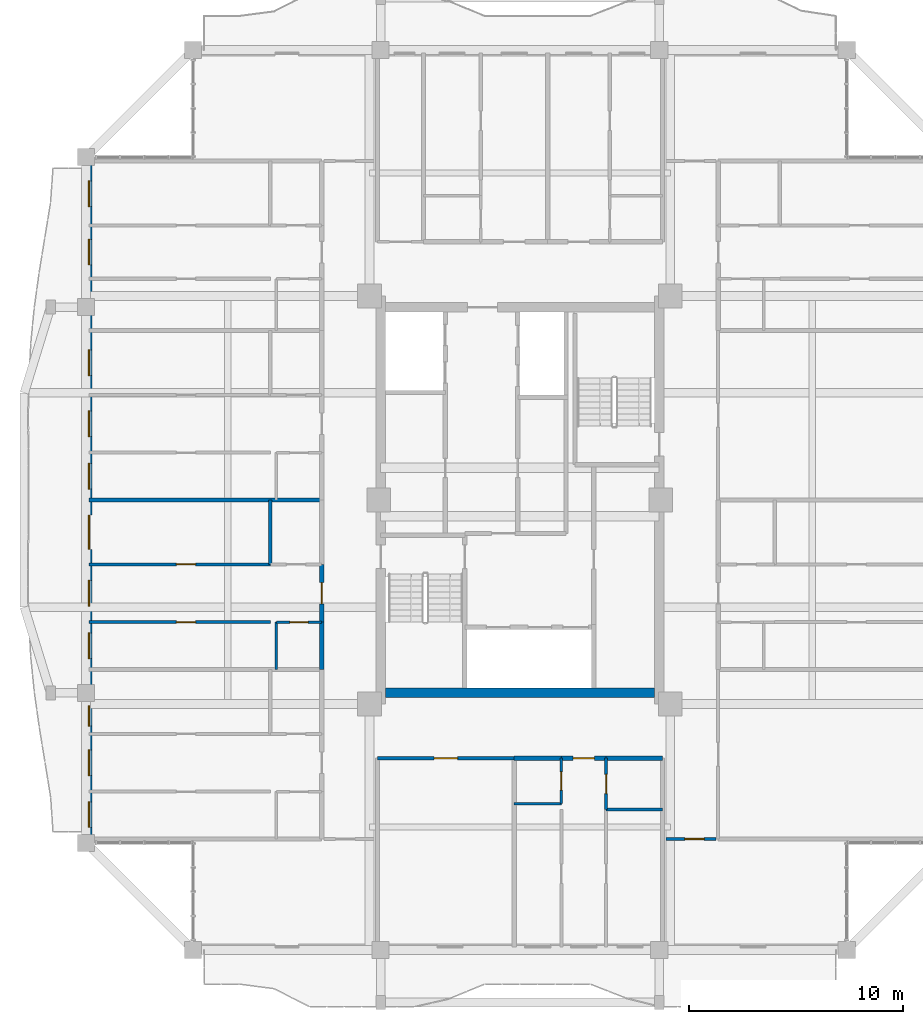
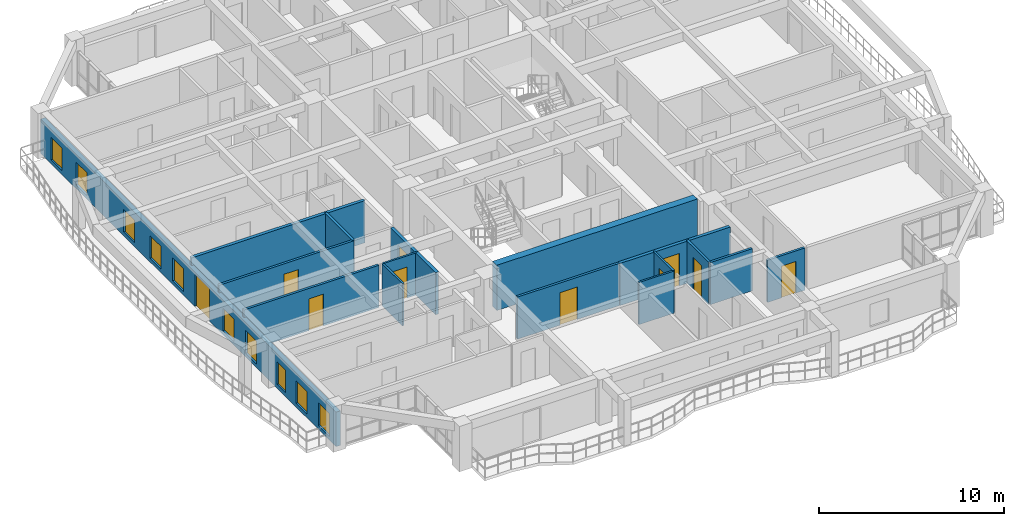
# One storey, part 11 of 21: 19 walls, 10 doors, 10 windows, 20 openings.
"""IFC4 building model written with IfcOpenShell, lengths in metres."""

import ifcopenshell
import ifcopenshell.guid

model = None  # the IFC model being written
_history = None  # IfcOwnerHistory: only IFC2X3 demands one
_inside = {}  # id of a spatial element -> (the spatial element, [elements in it])
_under = {}  # id of a project, library or spatial element -> (it, [spatial elements below it])
_declared = {}  # id of a project -> (the project, [libraries it declares])
_typed = {}  # id of a type object -> (the type object, [elements of that type])
_made_of = {}  # id of a material, layer set ... -> (it, [elements and type objects made of it])


def new_model(schema):
    """Start an empty IFC model of exactly this schema.

    Asked for "IFC4X3", IfcOpenShell would pick the latest addendum, in which some entities
    have other attributes; the version numbers below select the first issue.
    IFC2X3 requires an IfcOwnerHistory on every rooted entity: one is made here for all.
    """
    global model, _history
    if schema == "IFC4X3":
        model = ifcopenshell.file(schema_version=(4, 3, 0, 0))
    else:
        model = ifcopenshell.file(schema=schema)
    _inside.clear()
    _under.clear()
    _declared.clear()
    _typed.clear()
    _made_of.clear()
    _history = None
    if model.schema == "IFC2X3":
        org = make("IfcOrganization", Name="unknown")
        user = make(
            "IfcPersonAndOrganization",
            ThePerson=make("IfcPerson", FamilyName="unknown"),
            TheOrganization=org,
        )
        app = make(
            "IfcApplication",
            ApplicationDeveloper=org,
            Version="unknown",
            ApplicationFullName="unknown",
            ApplicationIdentifier="unknown",
        )
        _history = make(
            "IfcOwnerHistory",
            OwningUser=user,
            OwningApplication=app,
            ChangeAction="ADDED",
            CreationDate=0,
        )
    return model


def make(cls, **values):
    """One entity of the class cls with the attributes given. An attribute that is None is left unset."""
    return model.create_entity(
        cls, **{name: value for name, value in values.items() if value is not None}
    )


def rooted(cls, **values):
    """An entity with a GlobalId (a new one), such as an element, a storey or a relation."""
    return make(cls, GlobalId=ifcopenshell.guid.new(), OwnerHistory=_history, **values)


def si_unit(unit_type, name, prefix=None):
    """IfcSIUnit, for example si_unit("LENGTHUNIT", "METRE", prefix="MILLI")."""
    return make("IfcSIUnit", UnitType=unit_type, Prefix=prefix, Name=name)


def assignment(units):
    """IfcUnitAssignment: the units of a project."""
    return None if units is None else make("IfcUnitAssignment", Units=units)


def point(xyz):
    """IfcCartesianPoint."""
    return None if xyz is None else make("IfcCartesianPoint", Coordinates=xyz)


def direction(xyz):
    """IfcDirection."""
    return None if xyz is None else make("IfcDirection", DirectionRatios=xyz)


def frame(location, z_axis=None, x_axis=None):
    """IfcAxis2Placement3D, a coordinate frame: its origin and axes. An axis left out is left unset."""
    return make(
        "IfcAxis2Placement3D",
        Location=point(location),
        Axis=direction(z_axis),
        RefDirection=direction(x_axis),
    )


def frame_2d(location, x_axis=None):
    """IfcAxis2Placement2D, a coordinate frame in the plane: its origin and x axis."""
    return make(
        "IfcAxis2Placement2D", Location=point(location), RefDirection=direction(x_axis)
    )


def origin():
    """The frame at (0, 0, 0) with its axes left unset."""
    return frame((0.0, 0.0, 0.0))


def place(relative_to, where):
    """IfcLocalPlacement: puts the frame where relative to a parent placement (None: the world)."""
    return make(
        "IfcLocalPlacement", PlacementRelTo=relative_to, RelativePlacement=where
    )


def context(
    kind, dimensions, precision=None, world=None, true_north=None, identifier=None
):
    """IfcGeometricRepresentationContext, for example the 3D "Model" context."""
    return make(
        "IfcGeometricRepresentationContext",
        ContextIdentifier=identifier,
        ContextType=kind,
        CoordinateSpaceDimension=dimensions,
        Precision=precision,
        WorldCoordinateSystem=world,
        TrueNorth=true_north,
    )


def subcontext(parent, identifier, kind, view, scale=None):
    """IfcGeometricRepresentationSubContext, for example "Body" below "Model"."""
    return make(
        "IfcGeometricRepresentationSubContext",
        ContextIdentifier=identifier,
        ContextType=kind,
        ParentContext=parent,
        TargetScale=scale,
        TargetView=view,
    )


def project(units=None, contexts=None):
    """IfcProject with its units and contexts."""
    return rooted(
        "IfcProject",
        Name="project",
        RepresentationContexts=contexts,
        UnitsInContext=assignment(units),
    )


def spatial(cls, under=None, at=None, **own):
    """A site, building, storey or space (cls), placed at a placement, below another one or the project."""
    s = rooted(cls, ObjectPlacement=at, **own)
    if under is not None:
        _under.setdefault(under.id(), (under, []))[1].append(s)
    return s


def profile(cls, at=None, kind="AREA", **sizes):
    """A parametric profile (cls). Its sizes go by their IFC names, for example OverallWidth=200.0."""
    return make(cls, ProfileType=kind, Position=at, **sizes)


def rectangle(**sizes):
    """IfcRectangleProfileDef."""
    return profile("IfcRectangleProfileDef", **sizes)


def extrude(swept, where, along, depth):
    """IfcExtrudedAreaSolid: the profile swept, set in the frame where, extruded along a direction by depth."""
    return make(
        "IfcExtrudedAreaSolid",
        SweptArea=swept,
        Position=where,
        ExtrudedDirection=direction(along),
        Depth=depth,
    )


def shape(context_of_items, identifier, shape_type, items):
    """IfcShapeRepresentation: the items that make up one representation, for example the "Body"."""
    return make(
        "IfcShapeRepresentation",
        ContextOfItems=context_of_items,
        RepresentationIdentifier=identifier,
        RepresentationType=shape_type,
        Items=items,
    )


def source(mapping_origin, context_of_items, identifier, shape_type, items):
    """IfcRepresentationMap: a shape defined once, which mapped items show again and again."""
    return make(
        "IfcRepresentationMap",
        MappingOrigin=mapping_origin,
        MappedRepresentation=shape(context_of_items, identifier, shape_type, items),
    )


def transform(
    local_origin,
    x_axis=None,
    y_axis=None,
    z_axis=None,
    scale=None,
    scale2=None,
    scale3=None,
    uniform=True,
):
    """IfcCartesianTransformationOperator3D, or its non-uniform kind. x_axis, y_axis, z_axis: its Axis1, 2, 3."""
    if uniform:
        return make(
            "IfcCartesianTransformationOperator3D",
            Axis1=direction(x_axis),
            Axis2=direction(y_axis),
            LocalOrigin=point(local_origin),
            Scale=scale,
            Axis3=direction(z_axis),
        )
    return make(
        "IfcCartesianTransformationOperator3DnonUniform",
        Axis1=direction(x_axis),
        Axis2=direction(y_axis),
        LocalOrigin=point(local_origin),
        Scale=scale,
        Axis3=direction(z_axis),
        Scale2=scale2,
        Scale3=scale3,
    )


def mapped(mapping_source, mapping_target):
    """IfcMappedItem: shows the shape of a source again, moved by a transform."""
    return make(
        "IfcMappedItem", MappingSource=mapping_source, MappingTarget=mapping_target
    )


def material(Name=None, Category=None):
    """IfcMaterial."""
    return make("IfcMaterial", Name=Name, Category=Category)


def layer(
    of_material, thickness, ventilated=None, Name=None, Category=None, Priority=None
):
    """IfcMaterialLayer: one layer of a wall or slab, of a material (None: an air gap)."""
    return make(
        "IfcMaterialLayer",
        Material=of_material,
        LayerThickness=thickness,
        IsVentilated=ventilated,
        Name=Name,
        Category=Category,
        Priority=Priority,
    )


def layer_set(layers, Name=None):
    """IfcMaterialLayerSet."""
    return make("IfcMaterialLayerSet", MaterialLayers=layers, LayerSetName=Name)


def made_of(thing, what):
    """Note that an element or type object is made of a material, layer set ...; save() writes the relation."""
    if what is not None:
        _made_of.setdefault(what.id(), (what, []))[1].append(thing)
    return thing


def type_object(cls, material=None, **own):
    """A type object (cls), such as IfcWallType, which elements share."""
    return made_of(rooted(cls, **own), material)


def element(
    cls,
    number,
    at=None,
    inside=None,
    cuts=None,
    type_object=None,
    material=None,
    context=None,
    identifier="Body",
    shape_type=None,
    held_by="IfcProductDefinitionShape",
    body=None,
    shapes=None,
    **own,
):
    """One element of the class cls, such as IfcWall. Its Tag is "e" and its number.

    at: its placement. inside: the storey or other place that contains it. cuts: it is an
    opening in that element (IfcRelVoidsElement). A single representation is given by context,
    identifier, shape_type and body (its items); several are given by shapes. held_by: the class
    of the entity that holds the representations. save() writes the other relations.
    """
    e = rooted(cls, Tag="e%d" % number, ObjectPlacement=at, **own)
    if body is not None:
        shapes = [shape(context, identifier, shape_type, body)]
    if shapes is not None:
        e.Representation = make(held_by, Representations=shapes)
    if inside is not None:
        _inside.setdefault(inside.id(), (inside, []))[1].append(e)
    if cuts is not None:
        rooted(
            "IfcRelVoidsElement", RelatingBuildingElement=cuts, RelatedOpeningElement=e
        )
    if type_object is not None:
        _typed.setdefault(type_object.id(), (type_object, []))[1].append(e)
    return made_of(e, material)


def fill(opening, filler):
    """IfcRelFillsElement: the door or window that sits in an opening."""
    return rooted(
        "IfcRelFillsElement",
        RelatingOpeningElement=opening,
        RelatedBuildingElement=filler,
    )


def aggregate(whole, parts):
    """IfcRelAggregates: a whole, such as a stair, and the parts it consists of."""
    return rooted("IfcRelAggregates", RelatingObject=whole, RelatedObjects=parts)


def save(model, path):
    """Write the relations noted so far, then the file.

    IfcRelAggregates (storeys below a building ...), IfcRelContainedInSpatialStructure (elements
    in a storey), IfcRelDefinesByType, IfcRelAssociatesMaterial and IfcRelDeclares: one each for
    every whole, place, type object, material and project.
    """
    for whole, parts in _under.values():
        aggregate(whole, parts)
    for where, things in _inside.values():
        rooted(
            "IfcRelContainedInSpatialStructure",
            RelatedElements=things,
            RelatingStructure=where,
        )
    for kind, things in _typed.values():
        rooted("IfcRelDefinesByType", RelatedObjects=things, RelatingType=kind)
    for what, things in _made_of.values():
        rooted("IfcRelAssociatesMaterial", RelatedObjects=things, RelatingMaterial=what)
    for by, libraries in _declared.values():
        rooted("IfcRelDeclares", RelatingContext=by, RelatedDefinitions=libraries)
    model.write(path)


model = new_model("IFC4")

# Units and contexts
model_context = context("Model", 3, precision=1e-05, world=origin(), true_north=direction((0.0, 1.0)))
body_context = subcontext(model_context, "Body", "Model", "MODEL_VIEW")
ifc_project = project(units=[si_unit("LENGTHUNIT", "METRE"), si_unit("AREAUNIT", "SQUARE_METRE"), si_unit("VOLUMEUNIT", "CUBIC_METRE"), si_unit("PLANEANGLEUNIT", "RADIAN"), si_unit("MASSUNIT", "GRAM", prefix="KILO")], contexts=[model_context])

# Site, building, storey
site_placement = place(None, origin())
site = spatial("IfcSite", under=ifc_project, at=site_placement, CompositionType="ELEMENT")
building_placement = place(site_placement, origin())
building = spatial("IfcBuilding", under=site, at=building_placement, Name="Saelheon Loggia Tower", CompositionType="ELEMENT")
storey_placement = place(building_placement, frame((0.0, 0.0, 186.699951171875)))
storey = spatial("IfcBuildingStorey", under=building, at=storey_placement, Name="L58", CompositionType="ELEMENT", Elevation=186.699951171875)

# Wall
ifc_material_1 = material(Name="Concrete C45/55", Category="concrete")
ifc_layer_1 = layer(ifc_material_1, 0.449951171875)
ifc_layer_set_1 = layer_set([ifc_layer_1], Name="Concrete C45/55")
wall_type_1 = type_object("IfcWallType", Name="Wall_CoreShear_450", PredefinedType="SHEAR", material=ifc_layer_set_1)
wall_1_placement = place(storey_placement, frame((31.72509765625, 18.0, 0.0), z_axis=(0.0, 0.0, 1.0), x_axis=(1.0, 0.0, 0.0)))
element("IfcWall", 1, at=wall_1_placement, inside=storey, type_object=wall_type_1, Name="L58 Core Shear Wall South", PredefinedType="SHEAR", context=body_context, shape_type="SweptSolid", body=[
    extrude(rectangle(XDim=12.5498046875, YDim=0.449951171875, at=frame_2d((6.27490234375, 0.0))), origin(), (0.0, 0.0, 1.0), 3.0),
])

# Wall, openings, windows, door
ifc_material_2 = material(Name="Architectural Precast Concrete C40/50", Category="concrete")
ifc_layer_2 = layer(ifc_material_2, 0.280029296875)
ifc_layer_set_2 = layer_set([ifc_layer_2], Name="Architectural Precast Concrete C40/50")
wall_type_2 = type_object("IfcWallType", Name="Wall_Ext_Loggia_280", PredefinedType="SOLIDWALL", material=ifc_layer_set_2)
wall_2_placement = place(storey_placement, frame((17.889892578125, 11.0, 0.0), z_axis=(0.0, 0.0, 1.0), x_axis=(0.0, 1.0, 0.0)))
wall_2 = element("IfcWall", 2, at=wall_2_placement, inside=storey, type_object=wall_type_2, Name="L58 West Loggia Inner Wall", PredefinedType="SOLIDWALL", context=body_context, shape_type="SweptSolid", body=[
    extrude(rectangle(XDim=32.0, YDim=0.280029296875, at=frame_2d((16.0, 0.0))), origin(), (0.0, 0.0, 1.0), 2.280029296875),
])
opening_1_placement = place(wall_2_placement, frame((0.71728515625, 0.0, 0.25)))
opening_1 = element("IfcOpeningElement", 3, at=opening_1_placement, cuts=wall_2, Name="Opening WN-03", PredefinedType="OPENING", context=body_context, shape_type="SweptSolid", body=[
    extrude(rectangle(XDim=1.199951171875, YDim=1.5, at=frame_2d((0.60009765625, 0.75))), frame((0.0, 0.152099609375, 0.0), z_axis=(0.0, -1.0, 0.0), x_axis=(1.0, 0.0, 0.0)), (0.0, 0.0, 1.0), 0.303955078125),
])
opening_2_placement = place(wall_2_placement, frame((3.139404296875, 0.0, 0.25)))
opening_2 = element("IfcOpeningElement", 4, at=opening_2_placement, cuts=wall_2, Name="Opening WN-03", PredefinedType="OPENING", context=body_context, shape_type="SweptSolid", body=[
    extrude(rectangle(XDim=1.199951171875, YDim=1.5, at=frame_2d((0.60009765625, 0.75))), frame((0.0, 0.152099609375, 0.0), z_axis=(0.0, -1.0, 0.0), x_axis=(1.0, 0.0, 0.0)), (0.0, 0.0, 1.0), 0.303955078125),
])
opening_3_placement = place(wall_2_placement, frame((5.447021484375, 0.0, 0.25)))
opening_3 = element("IfcOpeningElement", 5, at=opening_3_placement, cuts=wall_2, Name="Opening WN-04", PredefinedType="OPENING", context=body_context, shape_type="SweptSolid", body=[
    extrude(rectangle(XDim=0.949951171875, YDim=1.5, at=frame_2d((0.47509765625, 0.75))), frame((0.0, 0.152099609375, 0.0), z_axis=(0.0, -1.0, 0.0), x_axis=(1.0, 0.0, 0.0)), (0.0, 0.0, 1.0), 0.303955078125),
])
opening_4_placement = place(wall_2_placement, frame((8.597412109375, 0.0, 0.25)))
opening_4 = element("IfcOpeningElement", 6, at=opening_4_placement, cuts=wall_2, Name="Opening WN-03", PredefinedType="OPENING", context=body_context, shape_type="SweptSolid", body=[
    extrude(rectangle(XDim=1.199951171875, YDim=1.5, at=frame_2d((0.60009765625, 0.75))), frame((0.0, 0.152099609375, 0.0), z_axis=(0.0, -1.0, 0.0), x_axis=(1.0, 0.0, 0.0)), (0.0, 0.0, 1.0), 0.303955078125),
])
opening_5_placement = place(wall_2_placement, frame((11.049560546875, 0.0, 0.25)))
opening_5 = element("IfcOpeningElement", 7, at=opening_5_placement, cuts=wall_2, Name="Opening WN-03", PredefinedType="OPENING", context=body_context, shape_type="SweptSolid", body=[
    extrude(rectangle(XDim=1.199951171875, YDim=1.5, at=frame_2d((0.60009765625, 0.75))), frame((0.0, 0.152099609375, 0.0), z_axis=(0.0, -1.0, 0.0), x_axis=(1.0, 0.0, 0.0)), (0.0, 0.0, 1.0), 0.303955078125),
])
opening_6_placement = place(wall_2_placement, frame((13.697021484375, 0.0, 0.0)))
opening_6 = element("IfcOpeningElement", 8, at=opening_6_placement, cuts=wall_2, Name="Opening DLG-1", PredefinedType="OPENING", context=body_context, shape_type="SweptSolid", body=[
    extrude(rectangle(XDim=1.60009765625, YDim=2.14990234375, at=frame_2d((0.800048828125, 1.074951171875))), frame((0.0, 0.152099609375, 0.0), z_axis=(0.0, -1.0, 0.0), x_axis=(1.0, 0.0, 0.0)), (0.0, 0.0, 1.0), 0.303955078125),
])
opening_7_placement = place(wall_2_placement, frame((16.50732421875, 0.0, 0.25)))
opening_7 = element("IfcOpeningElement", 9, at=opening_7_placement, cuts=wall_2, Name="Opening WN-03", PredefinedType="OPENING", context=body_context, shape_type="SweptSolid", body=[
    extrude(rectangle(XDim=1.199951171875, YDim=1.5, at=frame_2d((0.60009765625, 0.75))), frame((0.0, 0.152099609375, 0.0), z_axis=(0.0, -1.0, 0.0), x_axis=(1.0, 0.0, 0.0)), (0.0, 0.0, 1.0), 0.303955078125),
])
opening_8_placement = place(wall_2_placement, frame((18.95947265625, 0.0, 0.25)))
opening_8 = element("IfcOpeningElement", 10, at=opening_8_placement, cuts=wall_2, Name="Opening WN-03", PredefinedType="OPENING", context=body_context, shape_type="SweptSolid", body=[
    extrude(rectangle(XDim=1.199951171875, YDim=1.5, at=frame_2d((0.60009765625, 0.75))), frame((0.0, 0.152099609375, 0.0), z_axis=(0.0, -1.0, 0.0), x_axis=(1.0, 0.0, 0.0)), (0.0, 0.0, 1.0), 0.303955078125),
])
opening_9_placement = place(wall_2_placement, frame((21.80712890625, 0.0, 0.25)))
opening_9 = element("IfcOpeningElement", 11, at=opening_9_placement, cuts=wall_2, Name="Opening WN-03", PredefinedType="OPENING", context=body_context, shape_type="SweptSolid", body=[
    extrude(rectangle(XDim=1.199951171875, YDim=1.5, at=frame_2d((0.60009765625, 0.75))), frame((0.0, 0.152099609375, 0.0), z_axis=(0.0, -1.0, 0.0), x_axis=(1.0, 0.0, 0.0)), (0.0, 0.0, 1.0), 0.303955078125),
])
opening_10_placement = place(wall_2_placement, frame((26.967041015625, 0.0, 0.25)))
opening_10 = element("IfcOpeningElement", 12, at=opening_10_placement, cuts=wall_2, Name="Opening WN-03", PredefinedType="OPENING", context=body_context, shape_type="SweptSolid", body=[
    extrude(rectangle(XDim=1.199951171875, YDim=1.5, at=frame_2d((0.60009765625, 0.75))), frame((0.0, 0.152099609375, 0.0), z_axis=(0.0, -1.0, 0.0), x_axis=(1.0, 0.0, 0.0)), (0.0, 0.0, 1.0), 0.303955078125),
])
opening_11_placement = place(wall_2_placement, frame((29.68701171875, 0.0, 0.25)))
opening_11 = element("IfcOpeningElement", 13, at=opening_11_placement, cuts=wall_2, Name="Opening WN-03", PredefinedType="OPENING", context=body_context, shape_type="SweptSolid", body=[
    extrude(rectangle(XDim=1.199951171875, YDim=1.5, at=frame_2d((0.60009765625, 0.75))), frame((0.0, 0.152099609375, 0.0), z_axis=(0.0, -1.0, 0.0), x_axis=(1.0, 0.0, 0.0)), (0.0, 0.0, 1.0), 0.303955078125),
])
ifc_material_3 = material(Name="Thermal-Break Aluminium and Triple Low-E Glass", Category="aluminium")
window_type_1 = type_object("IfcWindowType", Name="Win_Bedroom_1200x1500", PartitioningType="SINGLE_PANEL", PredefinedType="WINDOW", material=ifc_material_3)
shared_shape_1 = source(origin(), body_context, "Body", "SweptSolid", [
    extrude(rectangle(XDim=1.199951171875, YDim=1.5, at=frame_2d((0.60009765625, 0.75))), frame((0.0, 0.030029296875, 0.0), z_axis=(0.0, -1.0, 0.0), x_axis=(1.0, 0.0, 0.0)), (0.0, 0.0, 1.0), 0.06005859375),
])
window_1_placement = place(opening_1_placement, origin())
window_1 = element("IfcWindow", 14, at=window_1_placement, inside=storey, type_object=window_type_1, Name="L58 W Dwelling Window 1", OverallHeight=1.5, OverallWidth=1.199951171875, PartitioningType="SINGLE_PANEL", PredefinedType="WINDOW", context=body_context, shape_type="MappedRepresentation", body=[
    mapped(shared_shape_1, transform((0.0, 0.0, 0.0), scale=1.0)),
])
fill(opening_1, window_1)
window_2_placement = place(opening_2_placement, origin())
window_2 = element("IfcWindow", 15, at=window_2_placement, inside=storey, type_object=window_type_1, Name="L58 W Dwelling Window 2", OverallHeight=1.5, OverallWidth=1.199951171875, PartitioningType="SINGLE_PANEL", PredefinedType="WINDOW", context=body_context, shape_type="MappedRepresentation", body=[
    mapped(shared_shape_1, transform((0.0, 0.0, 0.0), scale=1.0)),
])
fill(opening_2, window_2)
window_3_placement = place(opening_4_placement, origin())
window_3 = element("IfcWindow", 16, at=window_3_placement, inside=storey, type_object=window_type_1, Name="L58 W Dwelling Window 4", OverallHeight=1.5, OverallWidth=1.199951171875, PartitioningType="SINGLE_PANEL", PredefinedType="WINDOW", context=body_context, shape_type="MappedRepresentation", body=[
    mapped(shared_shape_1, transform((0.0, 0.0, 0.0), scale=1.0)),
])
fill(opening_4, window_3)
window_4_placement = place(opening_5_placement, origin())
window_4 = element("IfcWindow", 17, at=window_4_placement, inside=storey, type_object=window_type_1, Name="L58 W Dwelling Window 5", OverallHeight=1.5, OverallWidth=1.199951171875, PartitioningType="SINGLE_PANEL", PredefinedType="WINDOW", context=body_context, shape_type="MappedRepresentation", body=[
    mapped(shared_shape_1, transform((0.0, 0.0, 0.0), scale=1.0)),
])
fill(opening_5, window_4)
window_5_placement = place(opening_7_placement, origin())
window_5 = element("IfcWindow", 18, at=window_5_placement, inside=storey, type_object=window_type_1, Name="L58 W Dwelling Window 7", OverallHeight=1.5, OverallWidth=1.199951171875, PartitioningType="SINGLE_PANEL", PredefinedType="WINDOW", context=body_context, shape_type="MappedRepresentation", body=[
    mapped(shared_shape_1, transform((0.0, 0.0, 0.0), scale=1.0)),
])
fill(opening_7, window_5)
window_6_placement = place(opening_8_placement, origin())
window_6 = element("IfcWindow", 19, at=window_6_placement, inside=storey, type_object=window_type_1, Name="L58 W Dwelling Window 8", OverallHeight=1.5, OverallWidth=1.199951171875, PartitioningType="SINGLE_PANEL", PredefinedType="WINDOW", context=body_context, shape_type="MappedRepresentation", body=[
    mapped(shared_shape_1, transform((0.0, 0.0, 0.0), scale=1.0)),
])
fill(opening_8, window_6)
window_7_placement = place(opening_9_placement, origin())
window_7 = element("IfcWindow", 20, at=window_7_placement, inside=storey, type_object=window_type_1, Name="L58 W Dwelling Window 9", OverallHeight=1.5, OverallWidth=1.199951171875, PartitioningType="SINGLE_PANEL", PredefinedType="WINDOW", context=body_context, shape_type="MappedRepresentation", body=[
    mapped(shared_shape_1, transform((0.0, 0.0, 0.0), scale=1.0)),
])
fill(opening_9, window_7)
window_8_placement = place(opening_10_placement, origin())
window_8 = element("IfcWindow", 21, at=window_8_placement, inside=storey, type_object=window_type_1, Name="L58 W Dwelling Window 10", OverallHeight=1.5, OverallWidth=1.199951171875, PartitioningType="SINGLE_PANEL", PredefinedType="WINDOW", context=body_context, shape_type="MappedRepresentation", body=[
    mapped(shared_shape_1, transform((0.0, 0.0, 0.0), scale=1.0)),
])
fill(opening_10, window_8)
window_9_placement = place(opening_11_placement, origin())
window_9 = element("IfcWindow", 22, at=window_9_placement, inside=storey, type_object=window_type_1, Name="L58 W Dwelling Window 11", OverallHeight=1.5, OverallWidth=1.199951171875, PartitioningType="SINGLE_PANEL", PredefinedType="WINDOW", context=body_context, shape_type="MappedRepresentation", body=[
    mapped(shared_shape_1, transform((0.0, 0.0, 0.0), scale=1.0)),
])
fill(opening_11, window_9)
window_type_2 = type_object("IfcWindowType", Name="Win_Narrow_950x1500", PartitioningType="SINGLE_PANEL", PredefinedType="WINDOW", material=ifc_material_3)
shared_shape_2 = source(origin(), body_context, "Body", "SweptSolid", [
    extrude(rectangle(XDim=0.949951171875, YDim=1.5, at=frame_2d((0.47509765625, 0.75))), frame((0.0, 0.030029296875, 0.0), z_axis=(0.0, -1.0, 0.0), x_axis=(1.0, 0.0, 0.0)), (0.0, 0.0, 1.0), 0.06005859375),
])
window_10_placement = place(opening_3_placement, origin())
window_10 = element("IfcWindow", 23, at=window_10_placement, inside=storey, type_object=window_type_2, Name="L58 W Dwelling Window 3", OverallHeight=1.5, OverallWidth=0.949951171875, PartitioningType="SINGLE_PANEL", PredefinedType="WINDOW", context=body_context, shape_type="MappedRepresentation", body=[
    mapped(shared_shape_2, transform((0.0, 0.0, 0.0), scale=1.0)),
])
fill(opening_3, window_10)
ifc_material_4 = material(Name="Thermal-Break Aluminium Sliding Glazed Door", Category="aluminium")
door_type_1 = type_object("IfcDoorType", Name="Door_LoggiaSlide_1600", OperationType="SLIDING_TO_LEFT", PredefinedType="DOOR", material=ifc_material_4)
shared_shape_3 = source(origin(), body_context, "Body", "SweptSolid", [
    extrude(rectangle(XDim=1.60009765625, YDim=2.14990234375, at=frame_2d((0.800048828125, 1.074951171875))), frame((0.0, 0.02490234375, 0.0), z_axis=(0.0, -1.0, 0.0), x_axis=(1.0, 0.0, 0.0)), (0.0, 0.0, 1.0), 0.050048828125),
])
door_1_placement = place(opening_6_placement, origin())
door_1 = element("IfcDoor", 24, at=door_1_placement, inside=storey, type_object=door_type_1, Name="L58 W Loggia Access Door", OperationType="SLIDING_TO_LEFT", OverallHeight=2.14990234375, OverallWidth=1.60009765625, PredefinedType="DOOR", context=body_context, shape_type="MappedRepresentation", body=[
    mapped(shared_shape_3, transform((0.0, 0.0, 0.0), scale=1.0)),
])
fill(opening_6, door_1)

# Wall, opening, door
ifc_material_5 = material(Name="Lightweight Autoclaved Aerated Concrete Block and Acoustic Gypsum", Category="concrete")
ifc_layer_3 = layer(ifc_material_5, 0.14990234375)
ifc_layer_set_3 = layer_set([ifc_layer_3], Name="Lightweight Autoclaved Aerated Concrete Block and Acoustic Gypsum")
wall_type_3 = type_object("IfcWallType", Name="Wall_Part_150", PredefinedType="PARTITIONING", material=ifc_layer_set_3)
wall_3_placement = place(storey_placement, frame((44.820068359375, 11.179931640625, 0.0), z_axis=(0.0, 0.0, 1.0), x_axis=(1.0, 0.0, 0.0)))
wall_3 = element("IfcWall", 25, at=wall_3_placement, inside=storey, type_object=wall_type_3, Name="PW-L58-CSE-H", PredefinedType="PARTITIONING", context=body_context, shape_type="SweptSolid", body=[
    extrude(rectangle(XDim=2.329833984375, YDim=0.14990234375, at=frame_2d((1.1650390625, 0.0))), origin(), (0.0, 0.0, 1.0), 2.7900390625),
])
opening_12_placement = place(wall_3_placement, frame((0.8798828125, 0.0, 0.0)))
opening_12 = element("IfcOpeningElement", 26, at=opening_12_placement, cuts=wall_3, Name="Opening D-IN2", PredefinedType="OPENING", context=body_context, shape_type="SweptSolid", body=[
    extrude(rectangle(XDim=0.89990234375, YDim=2.10009765625, at=frame_2d((0.449951171875, 1.050048828125))), frame((0.0, 0.0869140625, 0.0), z_axis=(0.0, -1.0, 0.0), x_axis=(1.0, 0.0, 0.0)), (0.0, 0.0, 1.0), 0.173828125),
])
ifc_material_6 = material(Name="Engineered Oak Flush Door", Category="timber")
door_type_2 = type_object("IfcDoorType", Name="Door_Int_900", OperationType="NOTDEFINED", PredefinedType="DOOR", material=ifc_material_6)
shared_shape_4 = source(origin(), body_context, "Body", "SweptSolid", [
    extrude(rectangle(XDim=0.89990234375, YDim=2.10009765625, at=frame_2d((0.449951171875, 1.050048828125))), frame((0.0, 0.02490234375, 0.0), z_axis=(0.0, -1.0, 0.0), x_axis=(1.0, 0.0, 0.0)), (0.0, 0.0, 1.0), 0.050048828125),
])
door_2_placement = place(opening_12_placement, origin())
door_2 = element("IfcDoor", 27, at=door_2_placement, inside=storey, type_object=door_type_2, Name="L58 Corner Reading Room SE Door", OperationType="SINGLE_SWING_LEFT", OverallHeight=2.10009765625, OverallWidth=0.89990234375, PredefinedType="DOOR", context=body_context, shape_type="MappedRepresentation", body=[
    mapped(shared_shape_4, transform((0.0, 0.0, 0.0), scale=1.0)),
])
fill(opening_12, door_2)

wall_4_placement = place(storey_placement, frame((31.35009765625, 14.949951171875, 0.0), z_axis=(0.0, 0.0, 1.0), x_axis=(1.0, 0.0, 0.0)))
wall_4 = element("IfcWall", 28, at=wall_4_placement, inside=storey, type_object=wall_type_3, Name="L58 S Partition V03", PredefinedType="PARTITIONING", context=body_context, shape_type="SweptSolid", body=[
    extrude(rectangle(XDim=6.3837890625, YDim=0.14990234375, at=frame_2d((3.19189453125, 0.0))), origin(), (0.0, 0.0, 1.0), 2.7900390625),
])
opening_13_placement = place(wall_4_placement, frame((2.64208984375, 0.0, 0.0)))
opening_13 = element("IfcOpeningElement", 29, at=opening_13_placement, cuts=wall_4, Name="Opening D-FD2", PredefinedType="OPENING", context=body_context, shape_type="SweptSolid", body=[
    extrude(rectangle(XDim=1.10009765625, YDim=2.14990234375, at=frame_2d((0.550048828125, 1.074951171875))), frame((0.0, 0.0869140625, 0.0), z_axis=(0.0, -1.0, 0.0), x_axis=(1.0, 0.0, 0.0)), (0.0, 0.0, 1.0), 0.173828125),
])
ifc_material_7 = material(Name="Galvanised Steel Fire Door", Category="steel")
door_type_3 = type_object("IfcDoorType", Name="Door_Fire_FD60_1100", OperationType="NOTDEFINED", PredefinedType="DOOR", material=ifc_material_7)
shared_shape_5 = source(origin(), body_context, "Body", "SweptSolid", [
    extrude(rectangle(XDim=1.10009765625, YDim=2.14990234375, at=frame_2d((0.550048828125, 1.074951171875))), frame((0.0, 0.02490234375, 0.0), z_axis=(0.0, -1.0, 0.0), x_axis=(1.0, 0.0, 0.0)), (0.0, 0.0, 1.0), 0.050048828125),
])
door_3_placement = place(opening_13_placement, origin())
door_3 = element("IfcDoor", 30, at=door_3_placement, inside=storey, type_object=door_type_3, Name="L58 Sky Community Club Hall Door A", OperationType="SINGLE_SWING_LEFT", OverallHeight=2.14990234375, OverallWidth=1.10009765625, PredefinedType="DOOR", context=body_context, shape_type="MappedRepresentation", body=[
    mapped(shared_shape_5, transform((0.0, 0.0, 0.0), scale=1.0)),
])
fill(opening_13, door_3)

# Wall
wall_5_placement = place(storey_placement, frame((42.02197265625, 12.550048828125, 0.0), z_axis=(0.0, 0.0, 1.0), x_axis=(1.0, 0.0, 0.0)))
element("IfcWall", 31, at=wall_5_placement, inside=storey, type_object=wall_type_3, Name="L58 S Partition V09", PredefinedType="PARTITIONING", context=body_context, shape_type="SweptSolid", body=[
    extrude(rectangle(XDim=2.6279296875, YDim=0.14990234375, at=frame_2d((1.31396484375, 0.0))), origin(), (0.0, 0.0, 1.0), 2.7900390625),
])

# Wall, opening, door
wall_6_placement = place(storey_placement, frame((42.02197265625, 14.949951171875, 0.0), z_axis=(0.0, 0.0, 1.0), x_axis=(0.0, -1.0, 0.0)))
wall_6 = element("IfcWall", 32, at=wall_6_placement, inside=storey, type_object=wall_type_3, Name="L58 S Partition U12", PredefinedType="PARTITIONING", context=body_context, shape_type="SweptSolid", body=[
    extrude(rectangle(XDim=2.39990234375, YDim=0.14990234375, at=frame_2d((1.199951171875, 0.0))), origin(), (0.0, 0.0, 1.0), 2.7900390625),
])
opening_14_placement = place(wall_6_placement, frame((0.75, 0.0, 0.0)))
opening_14 = element("IfcOpeningElement", 33, at=opening_14_placement, cuts=wall_6, Name="Opening D-IN2", PredefinedType="OPENING", context=body_context, shape_type="SweptSolid", body=[
    extrude(rectangle(XDim=0.89990234375, YDim=2.10009765625, at=frame_2d((0.449951171875, 1.050048828125))), frame((0.0, 0.0869140625, 0.0), z_axis=(0.0, -1.0, 0.0), x_axis=(1.0, 0.0, 0.0)), (0.0, 0.0, 1.0), 0.173828125),
])
door_4_placement = place(opening_14_placement, origin())
door_4 = element("IfcDoor", 34, at=door_4_placement, inside=storey, type_object=door_type_2, Name="Unit U01 Dressing Closet Door", OperationType="SINGLE_SWING_LEFT", OverallHeight=2.10009765625, OverallWidth=0.89990234375, PredefinedType="DOOR", context=body_context, shape_type="MappedRepresentation", body=[
    mapped(shared_shape_4, transform((0.0, 0.0, 0.0), scale=1.0)),
])
fill(opening_14, door_4)

# Wall
wall_7_placement = place(storey_placement, frame((26.35009765625, 23.994140625, 0.0), z_axis=(0.0, 0.0, 1.0), x_axis=(0.0, 1.0, 0.0)))
element("IfcWall", 35, at=wall_7_placement, inside=storey, type_object=wall_type_3, Name="L58 W Partition V17", PredefinedType="PARTITIONING", context=body_context, shape_type="SweptSolid", body=[
    extrude(rectangle(XDim=3.005859375, YDim=0.14990234375, at=frame_2d((1.5029296875, 0.0))), origin(), (0.0, 0.0, 1.0), 2.7900390625),
])

# Wall, opening, door
wall_8_placement = place(storey_placement, frame((26.35009765625, 21.3046875, 0.0), z_axis=(0.0, 0.0, 1.0), x_axis=(-1.0, 0.0, 0.0)))
wall_8 = element("IfcWall", 36, at=wall_8_placement, inside=storey, type_object=wall_type_3, Name="L58 W Partition U19", PredefinedType="PARTITIONING", context=body_context, shape_type="SweptSolid", body=[
    extrude(rectangle(XDim=8.4501953125, YDim=0.14990234375, at=frame_2d((4.22509765625, 0.0))), origin(), (0.0, 0.0, 1.0), 2.7900390625),
])
opening_15_placement = place(wall_8_placement, frame((3.48046875, 0.0, 0.0)))
opening_15 = element("IfcOpeningElement", 37, at=opening_15_placement, cuts=wall_8, Name="Opening D-IN2", PredefinedType="OPENING", context=body_context, shape_type="SweptSolid", body=[
    extrude(rectangle(XDim=0.89990234375, YDim=2.10009765625, at=frame_2d((0.449951171875, 1.050048828125))), frame((0.0, 0.0869140625, 0.0), z_axis=(0.0, -1.0, 0.0), x_axis=(1.0, 0.0, 0.0)), (0.0, 0.0, 1.0), 0.173828125),
])
door_5_placement = place(opening_15_placement, origin())
door_5 = element("IfcDoor", 38, at=door_5_placement, inside=storey, type_object=door_type_2, Name="Unit U05 Kitchen Door", OperationType="SINGLE_SWING_LEFT", OverallHeight=2.10009765625, OverallWidth=0.89990234375, PredefinedType="DOOR", context=body_context, shape_type="MappedRepresentation", body=[
    mapped(shared_shape_4, transform((0.0, 0.0, 0.0), scale=1.0)),
])
fill(opening_15, door_5)

wall_9_placement = place(storey_placement, frame((26.35009765625, 23.994140625, 0.0), z_axis=(0.0, 0.0, 1.0), x_axis=(-1.0, 0.0, 0.0)))
wall_9 = element("IfcWall", 39, at=wall_9_placement, inside=storey, type_object=wall_type_3, Name="L58 W Partition U21", PredefinedType="PARTITIONING", context=body_context, shape_type="SweptSolid", body=[
    extrude(rectangle(XDim=8.4501953125, YDim=0.14990234375, at=frame_2d((4.22509765625, 0.0))), origin(), (0.0, 0.0, 1.0), 2.7900390625),
])
opening_16_placement = place(wall_9_placement, frame((3.48046875, 0.0, 0.0)))
opening_16 = element("IfcOpeningElement", 40, at=opening_16_placement, cuts=wall_9, Name="Opening D-IN2", PredefinedType="OPENING", context=body_context, shape_type="SweptSolid", body=[
    extrude(rectangle(XDim=0.89990234375, YDim=2.10009765625, at=frame_2d((0.449951171875, 1.050048828125))), frame((0.0, 0.0869140625, 0.0), z_axis=(0.0, -1.0, 0.0), x_axis=(1.0, 0.0, 0.0)), (0.0, 0.0, 1.0), 0.173828125),
])
door_6_placement = place(opening_16_placement, origin())
door_6 = element("IfcDoor", 41, at=door_6_placement, inside=storey, type_object=door_type_2, Name="Unit U05 Bedroom 1 Door", OperationType="SINGLE_SWING_LEFT", OverallHeight=2.10009765625, OverallWidth=0.89990234375, PredefinedType="DOOR", context=body_context, shape_type="MappedRepresentation", body=[
    mapped(shared_shape_4, transform((0.0, 0.0, 0.0), scale=1.0)),
])
fill(opening_16, door_6)

# Wall
ifc_material_8 = material(Name="Double Acoustic Stud and Fireboard Partition", Category="gypsum")
ifc_layer_4 = layer(ifc_material_8, 0.199951171875)
ifc_layer_set_4 = layer_set([ifc_layer_4], Name="Double Acoustic Stud and Fireboard Partition")
wall_type_4 = type_object("IfcWallType", Name="Wall_Party_200", PredefinedType="PARTITIONING", material=ifc_layer_set_4)
wall_10_placement = place(storey_placement, frame((37.73388671875, 14.949951171875, 0.0), z_axis=(0.0, 0.0, 1.0), x_axis=(1.0, 0.0, 0.0)))
element("IfcWall", 42, at=wall_10_placement, inside=storey, type_object=wall_type_4, Name="L58 S Partition V05", PredefinedType="PARTITIONING", context=body_context, shape_type="SweptSolid", body=[
    extrude(rectangle(XDim=2.2001953125, YDim=0.199951171875, at=frame_2d((1.10009765625, 0.0))), origin(), (0.0, 0.0, 1.0), 2.7900390625),
])

# Wall, opening, door
wall_11_placement = place(storey_placement, frame((39.93408203125, 14.949951171875, 0.0), z_axis=(0.0, 0.0, 1.0), x_axis=(1.0, 0.0, 0.0)))
wall_11 = element("IfcWall", 43, at=wall_11_placement, inside=storey, type_object=wall_type_4, Name="L58 S Partition V06", PredefinedType="PARTITIONING", context=body_context, shape_type="SweptSolid", body=[
    extrude(rectangle(XDim=2.087890625, YDim=0.199951171875, at=frame_2d((1.0439453125, 0.0))), origin(), (0.0, 0.0, 1.0), 2.7900390625),
])
opening_17_placement = place(wall_11_placement, frame((0.5439453125, 0.0, 0.0)))
opening_17 = element("IfcOpeningElement", 44, at=opening_17_placement, cuts=wall_11, Name="Opening D-FD1", PredefinedType="OPENING", context=body_context, shape_type="SweptSolid", body=[
    extrude(rectangle(XDim=1.0, YDim=2.14990234375, at=frame_2d((0.5, 1.074951171875))), frame((0.0, 0.112060546875, 0.0), z_axis=(0.0, -1.0, 0.0), x_axis=(1.0, 0.0, 0.0)), (0.0, 0.0, 1.0), 0.223876953125),
])
ifc_material_9 = material(Name="Fire-Rated Engineered Timber Entrance Door", Category="wood")
door_type_4 = type_object("IfcDoorType", Name="Door_Flat_FD30S", OperationType="NOTDEFINED", PredefinedType="DOOR", material=ifc_material_9)
shared_shape_6 = source(origin(), body_context, "Body", "SweptSolid", [
    extrude(rectangle(XDim=1.0, YDim=2.14990234375, at=frame_2d((0.5, 1.074951171875))), frame((0.0, 0.02490234375, 0.0), z_axis=(0.0, -1.0, 0.0), x_axis=(1.0, 0.0, 0.0)), (0.0, 0.0, 1.0), 0.050048828125),
])
door_7_placement = place(opening_17_placement, origin())
door_7 = element("IfcDoor", 45, at=door_7_placement, inside=storey, type_object=door_type_4, Name="Unit U01 Entrance Door", OperationType="SINGLE_SWING_RIGHT", OverallHeight=2.14990234375, OverallWidth=1.0, PredefinedType="DOOR", context=body_context, shape_type="MappedRepresentation", body=[
    mapped(shared_shape_6, transform((0.0, 0.0, 0.0), scale=1.0)),
])
fill(opening_17, door_7)

# Walls
wall_12_placement = place(storey_placement, frame((42.02197265625, 14.949951171875, 0.0), z_axis=(0.0, 0.0, 1.0), x_axis=(1.0, 0.0, 0.0)))
element("IfcWall", 46, at=wall_12_placement, inside=storey, type_object=wall_type_4, Name="L58 S Partition V07", PredefinedType="PARTITIONING", context=body_context, shape_type="SweptSolid", body=[
    extrude(rectangle(XDim=2.6279296875, YDim=0.199951171875, at=frame_2d((1.31396484375, 0.0))), origin(), (0.0, 0.0, 1.0), 2.7900390625),
])
wall_13_placement = place(storey_placement, frame((28.75, 19.090087890625, 0.0), z_axis=(0.0, 0.0, 1.0), x_axis=(0.0, 1.0, 0.0)))
element("IfcWall", 47, at=wall_13_placement, inside=storey, type_object=wall_type_4, Name="L58 W Partition V13", PredefinedType="PARTITIONING", context=body_context, shape_type="SweptSolid", body=[
    extrude(rectangle(XDim=2.214599609375, YDim=0.199951171875, at=frame_2d((1.107421875, 0.0))), origin(), (0.0, 0.0, 1.0), 2.7900390625),
])

# Wall, opening, door
wall_14_placement = place(storey_placement, frame((28.75, 21.3046875, 0.0), z_axis=(0.0, 0.0, 1.0), x_axis=(0.0, 1.0, 0.0)))
wall_14 = element("IfcWall", 48, at=wall_14_placement, inside=storey, type_object=wall_type_4, Name="L58 W Partition V14", PredefinedType="PARTITIONING", context=body_context, shape_type="SweptSolid", body=[
    extrude(rectangle(XDim=2.689453125, YDim=0.199951171875, at=frame_2d((1.3447265625, 0.0))), origin(), (0.0, 0.0, 1.0), 2.7900390625),
])
opening_18_placement = place(wall_14_placement, frame((0.8447265625, 0.0, 0.0)))
opening_18 = element("IfcOpeningElement", 49, at=opening_18_placement, cuts=wall_14, Name="Opening D-FD1", PredefinedType="OPENING", context=body_context, shape_type="SweptSolid", body=[
    extrude(rectangle(XDim=1.0, YDim=2.14990234375, at=frame_2d((0.5, 1.074951171875))), frame((0.0, 0.112060546875, 0.0), z_axis=(0.0, -1.0, 0.0), x_axis=(1.0, 0.0, 0.0)), (0.0, 0.0, 1.0), 0.223876953125),
])
door_8_placement = place(opening_18_placement, origin())
door_8 = element("IfcDoor", 50, at=door_8_placement, inside=storey, type_object=door_type_4, Name="Unit U05 Entrance Door", OperationType="SINGLE_SWING_LEFT", OverallHeight=2.14990234375, OverallWidth=1.0, PredefinedType="DOOR", context=body_context, shape_type="MappedRepresentation", body=[
    mapped(shared_shape_6, transform((0.0, 0.0, 0.0), scale=1.0)),
])
fill(opening_18, door_8)

# Walls
wall_15_placement = place(storey_placement, frame((28.75, 27.0, 0.0), z_axis=(0.0, 0.0, 1.0), x_axis=(-1.0, 0.0, 0.0)))
element("IfcWall", 51, at=wall_15_placement, inside=storey, type_object=wall_type_4, Name="L58 W Partition U22", PredefinedType="PARTITIONING", context=body_context, shape_type="SweptSolid", body=[
    extrude(rectangle(XDim=10.85009765625, YDim=0.199951171875, at=frame_2d((5.425048828125, 0.0))), origin(), (0.0, 0.0, 1.0), 2.7900390625),
])
ifc_material_10 = material(Name="Moisture-Resistant Cement Board Partition", Category="gypsum")
ifc_layer_5 = layer(ifc_material_10, 0.1201171875)
ifc_layer_set_5 = layer_set([ifc_layer_5], Name="Moisture-Resistant Cement Board Partition")
wall_type_5 = type_object("IfcWallType", Name="Wall_WetPart_120", PredefinedType="PARTITIONING", material=ifc_layer_set_5)
wall_16_placement = place(storey_placement, frame((37.73388671875, 12.830078125, 0.0), z_axis=(0.0, 0.0, 1.0), x_axis=(1.0, 0.0, 0.0)))
element("IfcWall", 52, at=wall_16_placement, inside=storey, type_object=wall_type_5, Name="L58 S Partition V08", PredefinedType="PARTITIONING", context=body_context, shape_type="SweptSolid", body=[
    extrude(rectangle(XDim=2.2001953125, YDim=0.1201171875, at=frame_2d((1.10009765625, 0.0))), origin(), (0.0, 0.0, 1.0), 2.7900390625),
])

# Wall, opening, door
wall_17_placement = place(storey_placement, frame((39.93408203125, 14.949951171875, 0.0), z_axis=(0.0, 0.0, 1.0), x_axis=(0.0, -1.0, 0.0)))
wall_17 = element("IfcWall", 53, at=wall_17_placement, inside=storey, type_object=wall_type_5, Name="L58 S Partition U10", PredefinedType="PARTITIONING", context=body_context, shape_type="SweptSolid", body=[
    extrude(rectangle(XDim=2.119873046875, YDim=0.1201171875, at=frame_2d((1.06005859375, 0.0))), origin(), (0.0, 0.0, 1.0), 2.7900390625),
])
opening_19_placement = place(wall_17_placement, frame((0.635009765625, 0.0, 0.0)))
opening_19 = element("IfcOpeningElement", 54, at=opening_19_placement, cuts=wall_17, Name="Opening D-BT1", PredefinedType="OPENING", context=body_context, shape_type="SweptSolid", body=[
    extrude(rectangle(XDim=0.85009765625, YDim=2.050048828125, at=frame_2d((0.425048828125, 1.02490234375))), frame((0.0, 0.072021484375, 0.0), z_axis=(0.0, -1.0, 0.0), x_axis=(1.0, 0.0, 0.0)), (0.0, 0.0, 1.0), 0.14404296875),
])
ifc_material_11 = material(Name="Moisture-Resistant Laminate Timber Door", Category="wood")
door_type_5 = type_object("IfcDoorType", Name="Door_Bath_850", OperationType="NOTDEFINED", PredefinedType="DOOR", material=ifc_material_11)
shared_shape_7 = source(origin(), body_context, "Body", "SweptSolid", [
    extrude(rectangle(XDim=0.85009765625, YDim=2.050048828125, at=frame_2d((0.425048828125, 1.02490234375))), frame((0.0, 0.02490234375, 0.0), z_axis=(0.0, -1.0, 0.0), x_axis=(1.0, 0.0, 0.0)), (0.0, 0.0, 1.0), 0.050048828125),
])
door_9_placement = place(opening_19_placement, origin())
door_9 = element("IfcDoor", 55, at=door_9_placement, inside=storey, type_object=door_type_5, Name="Unit U01 Bathroom Door", OperationType="SINGLE_SWING_LEFT", OverallHeight=2.050048828125, OverallWidth=0.85009765625, PredefinedType="DOOR", context=body_context, shape_type="MappedRepresentation", body=[
    mapped(shared_shape_7, transform((0.0, 0.0, 0.0), scale=1.0)),
])
fill(opening_19, door_9)

# Wall
wall_18_placement = place(storey_placement, frame((26.6298828125, 19.090087890625, 0.0), z_axis=(0.0, 0.0, 1.0), x_axis=(0.0, 1.0, 0.0)))
element("IfcWall", 56, at=wall_18_placement, inside=storey, type_object=wall_type_5, Name="L58 W Partition V16", PredefinedType="PARTITIONING", context=body_context, shape_type="SweptSolid", body=[
    extrude(rectangle(XDim=2.214599609375, YDim=0.1201171875, at=frame_2d((1.107421875, 0.0))), origin(), (0.0, 0.0, 1.0), 2.7900390625),
])

# Wall, opening, door
wall_19_placement = place(storey_placement, frame((28.75, 21.3046875, 0.0), z_axis=(0.0, 0.0, 1.0), x_axis=(-1.0, 0.0, 0.0)))
wall_19 = element("IfcWall", 57, at=wall_19_placement, inside=storey, type_object=wall_type_5, Name="L58 W Partition U18", PredefinedType="PARTITIONING", context=body_context, shape_type="SweptSolid", body=[
    extrude(rectangle(XDim=2.1201171875, YDim=0.1201171875, at=frame_2d((1.06005859375, 0.0))), origin(), (0.0, 0.0, 1.0), 2.7900390625),
])
opening_20_placement = place(wall_19_placement, frame((0.635009765625, 0.0, 0.0)))
opening_20 = element("IfcOpeningElement", 58, at=opening_20_placement, cuts=wall_19, Name="Opening D-BT1", PredefinedType="OPENING", context=body_context, shape_type="SweptSolid", body=[
    extrude(rectangle(XDim=0.85009765625, YDim=2.050048828125, at=frame_2d((0.425048828125, 1.02490234375))), frame((0.0, 0.072021484375, 0.0), z_axis=(0.0, -1.0, 0.0), x_axis=(1.0, 0.0, 0.0)), (0.0, 0.0, 1.0), 0.14404296875),
])
door_10_placement = place(opening_20_placement, origin())
door_10 = element("IfcDoor", 59, at=door_10_placement, inside=storey, type_object=door_type_5, Name="Unit U05 Bathroom Door", OperationType="SINGLE_SWING_RIGHT", OverallHeight=2.050048828125, OverallWidth=0.85009765625, PredefinedType="DOOR", context=body_context, shape_type="MappedRepresentation", body=[
    mapped(shared_shape_7, transform((0.0, 0.0, 0.0), scale=1.0)),
])
fill(opening_20, door_10)

save(model, "model.ifc")
